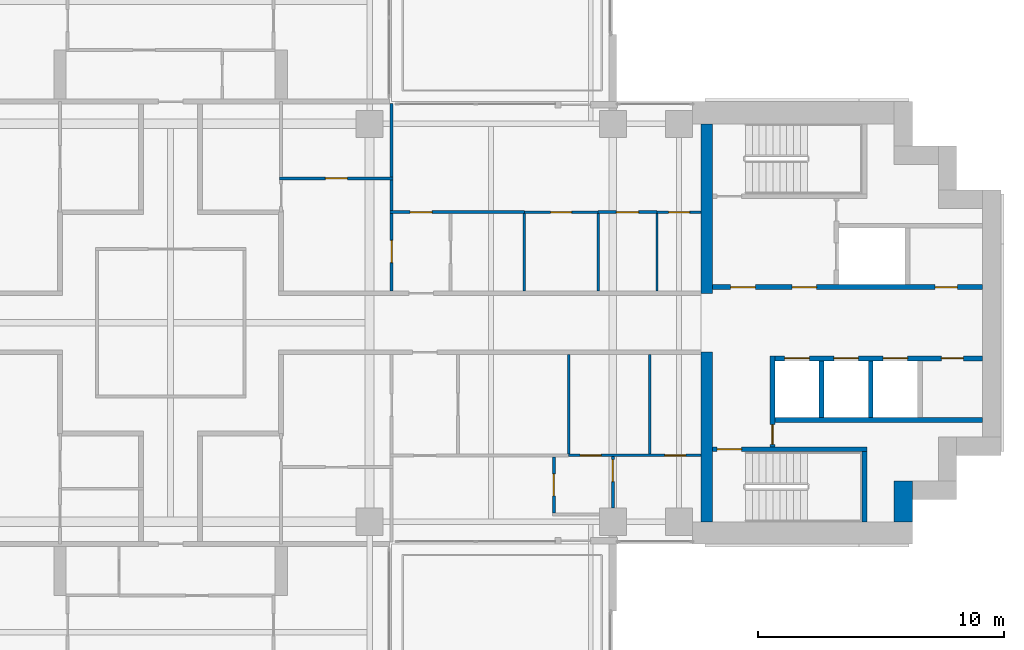
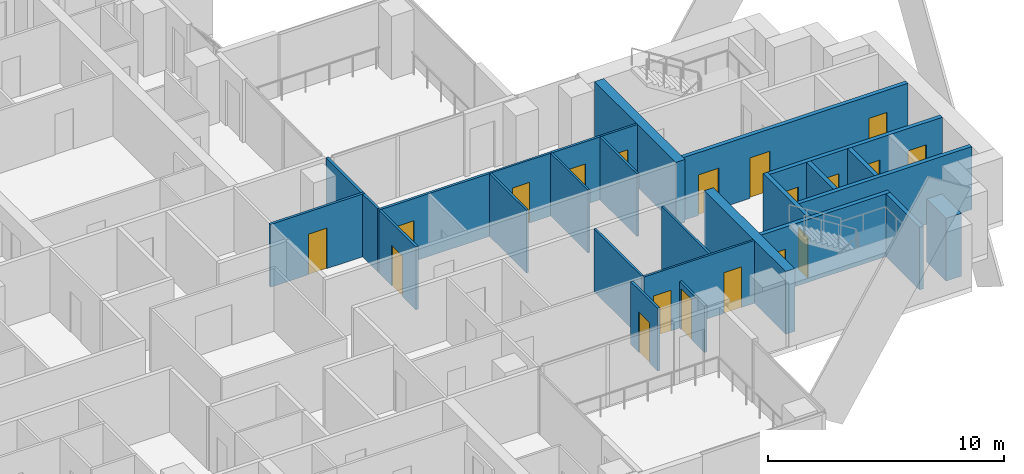
# One storey, part 12 of 19: 25 walls, 19 doors, 19 openings.
"""IFC4 building model written with IfcOpenShell, lengths in metres."""

from ifc_helpers import new_model, si_unit, direction, frame, frame_2d, origin, place, context, subcontext, project, spatial, rectangle, extrude, material, layer, layer_set, type_object, element, fill, save


model = new_model("IFC4")

# Units and contexts
model_context = context("Model", 3, precision=1e-05, world=origin(), true_north=direction((0.0, 1.0)))
body_context = subcontext(model_context, "Body", "Model", "MODEL_VIEW")
ifc_project = project(units=[si_unit("LENGTHUNIT", "METRE"), si_unit("AREAUNIT", "SQUARE_METRE"), si_unit("VOLUMEUNIT", "CUBIC_METRE"), si_unit("PLANEANGLEUNIT", "RADIAN"), si_unit("MASSUNIT", "GRAM", prefix="KILO")], contexts=[model_context])

# Site, building, storey
site_placement = place(None, origin())
site = spatial("IfcSite", under=ifc_project, at=site_placement, CompositionType="ELEMENT")
building_placement = place(site_placement, origin())
building = spatial("IfcBuilding", under=site, at=building_placement, Name="Perihelion Cross Residences", CompositionType="ELEMENT")
storey_placement = place(building_placement, frame((0.0, 0.0, 116.39990234375)))
storey = spatial("IfcBuildingStorey", under=building, at=storey_placement, Name="L27", CompositionType="ELEMENT", Elevation=116.39990234375)

# Walls
ifc_material_1 = material(Name="Concrete C60/75", Category="concrete")
ifc_layer_1 = layer(ifc_material_1, 0.449951171875)
ifc_layer_set_1 = layer_set([ifc_layer_1], Name="Core wall, inner 450")
wall_type_1 = type_object("IfcWallType", Name="Core wall, inner 450", PredefinedType="SHEAR", material=ifc_layer_set_1)
for number, where, z_axis, x_axis, name in (
    (1, (21.824951171875, -8.10009765625, 0.0), (0.0, 0.0, 1.0), (0.0, 1.0, 0.0), "East core core wall, inner"),
    (2, (21.824951171875, 1.199951171875, 0.0), (0.0, 0.0, 1.0), (0.0, 1.0, 0.0), "East core core wall, inner"),
):
    element("IfcWall", number, at=place(storey_placement, frame(where, z_axis=z_axis, x_axis=x_axis)), inside=storey, type_object=wall_type_1, Name=name, PredefinedType="SHEAR", context=body_context, shape_type="SweptSolid", body=[
        extrude(rectangle(XDim=6.900146484375, YDim=0.449951171875, at=frame_2d((3.4501953125, 0.0))), origin(), (0.0, 0.0, 1.0), 3.25),
    ])
ifc_material_2 = material(Name="Concrete C60/75", Category="concrete")
ifc_layer_2 = layer(ifc_material_2, 0.75)
ifc_layer_set_2 = layer_set([ifc_layer_2], Name="Core wall, outer 750")
wall_type_2 = type_object("IfcWallType", Name="Core wall, outer 750", PredefinedType="SHEAR", material=ifc_layer_set_2)
wall_1_placement = place(storey_placement, frame((29.824951171875, -8.10009765625, 0.0), z_axis=(0.0, 0.0, 1.0), x_axis=(0.0, 1.0, 0.0)))
element("IfcWall", 3, at=wall_1_placement, inside=storey, type_object=wall_type_2, Name="East core core wall, outer", PredefinedType="SHEAR", context=body_context, shape_type="SweptSolid", body=[
    extrude(rectangle(XDim=1.650146484375, YDim=0.75, at=frame_2d((0.8251953125, 0.0))), origin(), (0.0, 0.0, 1.0), 3.25),
])

# Wall, opening, door
ifc_material_3 = material(Name="Concrete C50/60", Category="concrete")
ifc_layer_3 = layer(ifc_material_3, 0.199951171875)
ifc_layer_set_3 = layer_set([ifc_layer_3], Name="Lobby wall 200")
wall_type_3 = type_object("IfcWallType", Name="Lobby wall 200", PredefinedType="SOLIDWALL", material=ifc_layer_set_3)
wall_2_placement = place(storey_placement, frame((24.5, -5.050048828125, 0.0), z_axis=(0.0, 0.0, 1.0), x_axis=(0.0, 1.0, 0.0)))
wall_2 = element("IfcWall", 4, at=wall_2_placement, inside=storey, type_object=wall_type_3, Name="East core lobby wall", PredefinedType="SOLIDWALL", context=body_context, shape_type="SweptSolid", body=[
    extrude(rectangle(XDim=3.699951171875, YDim=0.199951171875, at=frame_2d((1.85009765625, 0.0))), origin(), (0.0, 0.0, 1.0), 3.25),
])
opening_1_placement = place(wall_2_placement, frame((0.10009765625, 0.0, 0.0)))
opening_1 = element("IfcOpeningElement", 5, at=opening_1_placement, cuts=wall_2, Name="Opening L27.C08", PredefinedType="OPENING", context=body_context, shape_type="SweptSolid", body=[
    extrude(rectangle(XDim=0.800048828125, YDim=2.10009765625, at=frame_2d((0.39990234375, 1.050048828125))), frame((0.0, 0.10986328125, 0.0), z_axis=(0.0, -1.0, 0.0), x_axis=(1.0, 0.0, 0.0)), (0.0, 0.0, 1.0), 0.219970703125),
])
ifc_material_4 = material(Name="Steel, powder coated", Category="steel")
door_type_1 = type_object("IfcDoorType", Name="Riser door 800", OperationType="SINGLE_SWING_LEFT", PredefinedType="DOOR", material=ifc_material_4)
door_1_placement = place(opening_1_placement, origin())
door_1 = element("IfcDoor", 6, at=door_1_placement, inside=storey, type_object=door_type_1, Name="East core riser door", OperationType="SINGLE_SWING_LEFT", OverallHeight=2.10009765625, OverallWidth=0.800048828125, PredefinedType="DOOR", context=body_context, shape_type="SweptSolid", body=[
    extrude(rectangle(XDim=0.800048828125, YDim=2.10009765625, at=frame_2d((0.39990234375, 1.050048828125))), frame((0.0, 0.02490234375, 0.0), z_axis=(0.0, -1.0, 0.0), x_axis=(1.0, 0.0, 0.0)), (0.0, 0.0, 1.0), 0.050048828125),
])
fill(opening_1, door_1)

ifc_material_5 = material(Name="Plasterboard partition")
ifc_layer_4 = layer(ifc_material_5, 0.1201171875)
ifc_layer_set_4 = layer_set([ifc_layer_4], Name="Partition wall 120")
wall_type_4 = type_object("IfcWallType", Name="Partition wall 120", PredefinedType="PARTITIONING", material=ifc_layer_set_4)
wall_3_placement = place(storey_placement, frame((8.93994140625, 4.5, 0.0), z_axis=(0.0, 0.0, 1.0), x_axis=(1.0, 0.0, 0.0)))
wall_3 = element("IfcWall", 7, at=wall_3_placement, inside=storey, type_object=wall_type_4, Name="Partition L27 W024", PredefinedType="PARTITIONING", context=body_context, shape_type="SweptSolid", body=[
    extrude(rectangle(XDim=5.4599609375, YDim=0.1201171875, at=frame_2d((2.72998046875, 0.0))), origin(), (0.0, 0.0, 1.0), 3.25),
])
opening_2_placement = place(wall_3_placement, frame((0.81005859375, 0.0, 0.0)))
opening_2 = element("IfcOpeningElement", 8, at=opening_2_placement, cuts=wall_3, Name="Opening L27.A08", PredefinedType="OPENING", context=body_context, shape_type="SweptSolid", body=[
    extrude(rectangle(XDim=0.89990234375, YDim=2.10009765625, at=frame_2d((0.449951171875, 1.050048828125))), frame((0.0, 0.070068359375, 0.0), z_axis=(0.0, -1.0, 0.0), x_axis=(1.0, 0.0, 0.0)), (0.0, 0.0, 1.0), 0.14013671875),
])
ifc_material_6 = material(Name="Timber door leaf", Category="wood")
door_type_2 = type_object("IfcDoorType", Name="Interior room door 900 x 2100", OperationType="SINGLE_SWING_LEFT", PredefinedType="DOOR", material=ifc_material_6)
door_2_placement = place(opening_2_placement, origin())
door_2 = element("IfcDoor", 9, at=door_2_placement, inside=storey, type_object=door_type_2, Name="Door L27.A08", OperationType="SINGLE_SWING_RIGHT", OverallHeight=2.10009765625, OverallWidth=0.89990234375, PredefinedType="DOOR", context=body_context, shape_type="SweptSolid", body=[
    extrude(rectangle(XDim=0.89990234375, YDim=2.10009765625, at=frame_2d((0.449951171875, 1.050048828125))), frame((0.0, 0.02490234375, 0.0), z_axis=(0.0, -1.0, 0.0), x_axis=(1.0, 0.0, 0.0)), (0.0, 0.0, 1.0), 0.050048828125),
])
fill(opening_2, door_2)

wall_4_placement = place(storey_placement, frame((9.0, 1.300048828125, 0.0), z_axis=(0.0, 0.0, 1.0), x_axis=(0.0, 1.0, 0.0)))
wall_4 = element("IfcWall", 10, at=wall_4_placement, inside=storey, type_object=wall_type_4, Name="Partition L27 W025", PredefinedType="PARTITIONING", context=body_context, shape_type="SweptSolid", body=[
    extrude(rectangle(XDim=7.619873046875, YDim=0.1201171875, at=frame_2d((3.81005859375, 0.0))), origin(), (0.0, 0.0, 1.0), 3.25),
])
opening_3_placement = place(wall_4_placement, frame((1.14990234375, 0.0, 0.0)))
opening_3 = element("IfcOpeningElement", 11, at=opening_3_placement, cuts=wall_4, Name="Opening L27.A04", PredefinedType="OPENING", context=body_context, shape_type="SweptSolid", body=[
    extrude(rectangle(XDim=0.89990234375, YDim=2.10009765625, at=frame_2d((0.449951171875, 1.050048828125))), frame((0.0, 0.070068359375, 0.0), z_axis=(0.0, -1.0, 0.0), x_axis=(1.0, 0.0, 0.0)), (0.0, 0.0, 1.0), 0.14013671875),
])
door_3_placement = place(opening_3_placement, origin())
door_3 = element("IfcDoor", 12, at=door_3_placement, inside=storey, type_object=door_type_2, Name="Door L27.A04", OperationType="SINGLE_SWING_RIGHT", OverallHeight=2.10009765625, OverallWidth=0.89990234375, PredefinedType="DOOR", context=body_context, shape_type="SweptSolid", body=[
    extrude(rectangle(XDim=0.89990234375, YDim=2.10009765625, at=frame_2d((0.449951171875, 1.050048828125))), frame((0.0, 0.02490234375, 0.0), z_axis=(0.0, -1.0, 0.0), x_axis=(1.0, 0.0, 0.0)), (0.0, 0.0, 1.0), 0.050048828125),
])
fill(opening_3, door_3)

wall_5_placement = place(storey_placement, frame((17.39990234375, 4.5, 0.0), z_axis=(0.0, 0.0, 1.0), x_axis=(1.0, 0.0, 0.0)))
wall_5 = element("IfcWall", 13, at=wall_5_placement, inside=storey, type_object=wall_type_4, Name="Partition L27 W030", PredefinedType="PARTITIONING", context=body_context, shape_type="SweptSolid", body=[
    extrude(rectangle(XDim=2.400146484375, YDim=0.1201171875, at=frame_2d((1.2001953125, 0.0))), origin(), (0.0, 0.0, 1.0), 3.25),
])
opening_4_placement = place(wall_5_placement, frame((0.75, 0.0, 0.0)))
opening_4 = element("IfcOpeningElement", 14, at=opening_4_placement, cuts=wall_5, Name="Opening L27.A09", PredefinedType="OPENING", context=body_context, shape_type="SweptSolid", body=[
    extrude(rectangle(XDim=0.89990234375, YDim=2.10009765625, at=frame_2d((0.449951171875, 1.050048828125))), frame((0.0, 0.070068359375, 0.0), z_axis=(0.0, -1.0, 0.0), x_axis=(1.0, 0.0, 0.0)), (0.0, 0.0, 1.0), 0.14013671875),
])
door_4_placement = place(opening_4_placement, origin())
door_4 = element("IfcDoor", 15, at=door_4_placement, inside=storey, type_object=door_type_2, Name="Door L27.A09", OperationType="SINGLE_SWING_RIGHT", OverallHeight=2.10009765625, OverallWidth=0.89990234375, PredefinedType="DOOR", context=body_context, shape_type="SweptSolid", body=[
    extrude(rectangle(XDim=0.89990234375, YDim=2.10009765625, at=frame_2d((0.449951171875, 1.050048828125))), frame((0.0, 0.02490234375, 0.0), z_axis=(0.0, -1.0, 0.0), x_axis=(1.0, 0.0, 0.0)), (0.0, 0.0, 1.0), 0.050048828125),
])
fill(opening_4, door_4)

wall_6_placement = place(storey_placement, frame((4.43994140625, 5.8798828125, 0.0), z_axis=(0.0, 0.0, 1.0), x_axis=(1.0, 0.0, 0.0)))
wall_6 = element("IfcWall", 16, at=wall_6_placement, inside=storey, type_object=wall_type_4, Name="Partition L27 W032", PredefinedType="PARTITIONING", context=body_context, shape_type="SweptSolid", body=[
    extrude(rectangle(XDim=4.6201171875, YDim=0.1201171875, at=frame_2d((2.31005859375, 0.0))), origin(), (0.0, 0.0, 1.0), 3.25),
])
opening_5_placement = place(wall_6_placement, frame((1.860107421875, 0.0, 0.0)))
opening_5 = element("IfcOpeningElement", 17, at=opening_5_placement, cuts=wall_6, Name="Opening L27.A06", PredefinedType="OPENING", context=body_context, shape_type="SweptSolid", body=[
    extrude(rectangle(XDim=0.89990234375, YDim=2.10009765625, at=frame_2d((0.449951171875, 1.050048828125))), frame((0.0, 0.070068359375, 0.0), z_axis=(0.0, -1.0, 0.0), x_axis=(1.0, 0.0, 0.0)), (0.0, 0.0, 1.0), 0.14013671875),
])
door_5_placement = place(opening_5_placement, origin())
door_5 = element("IfcDoor", 18, at=door_5_placement, inside=storey, type_object=door_type_2, Name="Door L27.A06", OperationType="SINGLE_SWING_RIGHT", OverallHeight=2.10009765625, OverallWidth=0.89990234375, PredefinedType="DOOR", context=body_context, shape_type="SweptSolid", body=[
    extrude(rectangle(XDim=0.89990234375, YDim=2.10009765625, at=frame_2d((0.449951171875, 1.050048828125))), frame((0.0, 0.02490234375, 0.0), z_axis=(0.0, -1.0, 0.0), x_axis=(1.0, 0.0, 0.0)), (0.0, 0.0, 1.0), 0.050048828125),
])
fill(opening_5, door_5)

wall_7_placement = place(storey_placement, frame((15.60009765625, -5.4599609375, 0.0), z_axis=(0.0, 0.0, 1.0), x_axis=(0.0, -1.0, 0.0)))
wall_7 = element("IfcWall", 19, at=wall_7_placement, inside=storey, type_object=wall_type_4, Name="Partition L27 W040", PredefinedType="PARTITIONING", context=body_context, shape_type="SweptSolid", body=[
    extrude(rectangle(XDim=2.280029296875, YDim=0.1201171875, at=frame_2d((1.14013671875, 0.0))), origin(), (0.0, 0.0, 1.0), 3.25),
])
opening_6_placement = place(wall_7_placement, frame((0.68994140625, 0.0, 0.0)))
opening_6 = element("IfcOpeningElement", 20, at=opening_6_placement, cuts=wall_7, Name="Opening L27.A13", PredefinedType="OPENING", context=body_context, shape_type="SweptSolid", body=[
    extrude(rectangle(XDim=0.89990234375, YDim=2.10009765625, at=frame_2d((0.449951171875, 1.050048828125))), frame((0.0, 0.070068359375, 0.0), z_axis=(0.0, -1.0, 0.0), x_axis=(1.0, 0.0, 0.0)), (0.0, 0.0, 1.0), 0.14013671875),
])
door_6_placement = place(opening_6_placement, origin())
door_6 = element("IfcDoor", 21, at=door_6_placement, inside=storey, type_object=door_type_2, Name="Door L27.A13", OperationType="SINGLE_SWING_LEFT", OverallHeight=2.10009765625, OverallWidth=0.89990234375, PredefinedType="DOOR", context=body_context, shape_type="SweptSolid", body=[
    extrude(rectangle(XDim=0.89990234375, YDim=2.10009765625, at=frame_2d((0.449951171875, 1.050048828125))), frame((0.0, 0.02490234375, 0.0), z_axis=(0.0, -1.0, 0.0), x_axis=(1.0, 0.0, 0.0)), (0.0, 0.0, 1.0), 0.050048828125),
])
fill(opening_6, door_6)

wall_8_placement = place(storey_placement, frame((18.0, -5.449951171875, 0.0), z_axis=(0.0, 0.0, 1.0), x_axis=(0.0, -1.0, 0.0)))
wall_8 = element("IfcWall", 22, at=wall_8_placement, inside=storey, type_object=wall_type_4, Name="Partition L27 W042", PredefinedType="PARTITIONING", context=body_context, shape_type="SweptSolid", body=[
    extrude(rectangle(XDim=2.10009765625, YDim=0.1201171875, at=frame_2d((1.050048828125, 0.0))), origin(), (0.0, 0.0, 1.0), 2.4140625),
])
opening_7_placement = place(wall_8_placement, frame((0.1201171875, 0.0, 0.0)))
opening_7 = element("IfcOpeningElement", 23, at=opening_7_placement, cuts=wall_8, Name="Opening L27.A16", PredefinedType="OPENING", context=body_context, shape_type="SweptSolid", body=[
    extrude(rectangle(XDim=0.89990234375, YDim=2.10009765625, at=frame_2d((0.449951171875, 1.050048828125))), frame((0.0, 0.070068359375, 0.0), z_axis=(0.0, -1.0, 0.0), x_axis=(1.0, 0.0, 0.0)), (0.0, 0.0, 1.0), 0.14013671875),
])
door_7_placement = place(opening_7_placement, origin())
door_7 = element("IfcDoor", 24, at=door_7_placement, inside=storey, type_object=door_type_2, Name="Door L27.A16", OperationType="SINGLE_SWING_LEFT", OverallHeight=2.10009765625, OverallWidth=0.89990234375, PredefinedType="DOOR", context=body_context, shape_type="SweptSolid", body=[
    extrude(rectangle(XDim=0.89990234375, YDim=2.10009765625, at=frame_2d((0.449951171875, 1.050048828125))), frame((0.0, 0.02490234375, 0.0), z_axis=(0.0, -1.0, 0.0), x_axis=(1.0, 0.0, 0.0)), (0.0, 0.0, 1.0), 0.050048828125),
])
fill(opening_7, door_7)

# Wall, openings, doors
ifc_material_7 = material(Name="Concrete C50/60", Category="concrete")
ifc_layer_5 = layer(ifc_material_7, 0.199951171875)
ifc_layer_set_5 = layer_set([ifc_layer_5], Name="Shaft wall 200")
wall_type_5 = type_object("IfcWallType", Name="Shaft wall 200", PredefinedType="SOLIDWALL", material=ifc_layer_set_5)
wall_9_placement = place(storey_placement, frame((22.050048828125, 1.449951171875, 0.0), z_axis=(0.0, 0.0, 1.0), x_axis=(1.0, 0.0, 0.0)))
wall_9 = element("IfcWall", 25, at=wall_9_placement, inside=storey, type_object=wall_type_5, Name="East core shaft wall", PredefinedType="SOLIDWALL", context=body_context, shape_type="SweptSolid", body=[
    extrude(rectangle(XDim=11.0, YDim=0.199951171875, at=frame_2d((5.5, 0.0))), origin(), (0.0, 0.0, 1.0), 3.25),
])
opening_8_placement = place(wall_9_placement, frame((0.75, 0.0, 0.0)))
opening_8 = element("IfcOpeningElement", 26, at=opening_8_placement, cuts=wall_9, Name="Opening L27.C07", PredefinedType="OPENING", context=body_context, shape_type="SweptSolid", body=[
    extrude(rectangle(XDim=1.0, YDim=2.10009765625, at=frame_2d((0.5, 1.050048828125))), frame((0.0, 0.10986328125, 0.0), z_axis=(0.0, -1.0, 0.0), x_axis=(1.0, 0.0, 0.0)), (0.0, 0.0, 1.0), 0.219970703125),
])
opening_9_placement = place(wall_9_placement, frame((3.25, 0.0, 0.0)))
opening_9 = element("IfcOpeningElement", 27, at=opening_9_placement, cuts=wall_9, Name="Opening L27.C09", PredefinedType="OPENING", context=body_context, shape_type="SweptSolid", body=[
    extrude(rectangle(XDim=1.0, YDim=2.10009765625, at=frame_2d((0.5, 1.050048828125))), frame((0.0, 0.10986328125, 0.0), z_axis=(0.0, -1.0, 0.0), x_axis=(1.0, 0.0, 0.0)), (0.0, 0.0, 1.0), 0.219970703125),
])
opening_10_placement = place(wall_9_placement, frame((9.074951171875, 0.0, 0.0)))
opening_10 = element("IfcOpeningElement", 28, at=opening_10_placement, cuts=wall_9, Name="Opening L27.C11", PredefinedType="OPENING", context=body_context, shape_type="SweptSolid", body=[
    extrude(rectangle(XDim=0.89990234375, YDim=2.10009765625, at=frame_2d((0.449951171875, 1.050048828125))), frame((0.0, 0.10986328125, 0.0), z_axis=(0.0, -1.0, 0.0), x_axis=(1.0, 0.0, 0.0)), (0.0, 0.0, 1.0), 0.219970703125),
])
ifc_material_8 = material(Name="Steel, powder coated", Category="steel")
door_type_3 = type_object("IfcDoorType", Name="Lobby door 1000", OperationType="SINGLE_SWING_LEFT", PredefinedType="DOOR", material=ifc_material_8)
door_8_placement = place(opening_8_placement, origin())
door_8 = element("IfcDoor", 29, at=door_8_placement, inside=storey, type_object=door_type_3, Name="East core firefighting lobby door", OperationType="SINGLE_SWING_LEFT", OverallHeight=2.10009765625, OverallWidth=1.0, PredefinedType="DOOR", context=body_context, shape_type="SweptSolid", body=[
    extrude(rectangle(XDim=1.0, YDim=2.10009765625, at=frame_2d((0.5, 1.050048828125))), frame((0.0, 0.02490234375, 0.0), z_axis=(0.0, -1.0, 0.0), x_axis=(1.0, 0.0, 0.0)), (0.0, 0.0, 1.0), 0.050048828125),
])
fill(opening_8, door_8)
door_9_placement = place(opening_9_placement, origin())
door_9 = element("IfcDoor", 30, at=door_9_placement, inside=storey, type_object=door_type_3, Name="East core firefighting lobby door", OperationType="SINGLE_SWING_LEFT", OverallHeight=2.10009765625, OverallWidth=1.0, PredefinedType="DOOR", context=body_context, shape_type="SweptSolid", body=[
    extrude(rectangle(XDim=1.0, YDim=2.10009765625, at=frame_2d((0.5, 1.050048828125))), frame((0.0, 0.02490234375, 0.0), z_axis=(0.0, -1.0, 0.0), x_axis=(1.0, 0.0, 0.0)), (0.0, 0.0, 1.0), 0.050048828125),
])
fill(opening_9, door_9)
ifc_material_9 = material(Name="Steel, powder coated", Category="steel")
door_type_4 = type_object("IfcDoorType", Name="Service room door 900", OperationType="SINGLE_SWING_LEFT", PredefinedType="DOOR", material=ifc_material_9)
door_10_placement = place(opening_10_placement, origin())
door_10 = element("IfcDoor", 31, at=door_10_placement, inside=storey, type_object=door_type_4, Name="East core service room door", OperationType="SINGLE_SWING_LEFT", OverallHeight=2.10009765625, OverallWidth=0.89990234375, PredefinedType="DOOR", context=body_context, shape_type="SweptSolid", body=[
    extrude(rectangle(XDim=0.89990234375, YDim=2.10009765625, at=frame_2d((0.449951171875, 1.050048828125))), frame((0.0, 0.02490234375, 0.0), z_axis=(0.0, -1.0, 0.0), x_axis=(1.0, 0.0, 0.0)), (0.0, 0.0, 1.0), 0.050048828125),
])
fill(opening_10, door_10)

wall_10_placement = place(storey_placement, frame((24.60009765625, -1.449951171875, 0.0), z_axis=(0.0, 0.0, 1.0), x_axis=(1.0, 0.0, 0.0)))
wall_10 = element("IfcWall", 32, at=wall_10_placement, inside=storey, type_object=wall_type_5, Name="East core shaft wall", PredefinedType="SOLIDWALL", context=body_context, shape_type="SweptSolid", body=[
    extrude(rectangle(XDim=8.449951171875, YDim=0.199951171875, at=frame_2d((4.22509765625, 0.0))), origin(), (0.0, 0.0, 1.0), 3.25),
])
opening_11_placement = place(wall_10_placement, frame((0.39990234375, 0.0, 0.0)))
opening_11 = element("IfcOpeningElement", 33, at=opening_11_placement, cuts=wall_10, Name="Opening L27.C01", PredefinedType="OPENING", context=body_context, shape_type="SweptSolid", body=[
    extrude(rectangle(XDim=1.0, YDim=2.10009765625, at=frame_2d((0.5, 1.050048828125))), frame((0.0, 0.10986328125, 0.0), z_axis=(0.0, -1.0, 0.0), x_axis=(1.0, 0.0, 0.0)), (0.0, 0.0, 1.0), 0.219970703125),
])
opening_12_placement = place(wall_10_placement, frame((2.39990234375, 0.0, 0.0)))
opening_12 = element("IfcOpeningElement", 34, at=opening_12_placement, cuts=wall_10, Name="Opening L27.C03", PredefinedType="OPENING", context=body_context, shape_type="SweptSolid", body=[
    extrude(rectangle(XDim=1.0, YDim=2.10009765625, at=frame_2d((0.5, 1.050048828125))), frame((0.0, 0.10986328125, 0.0), z_axis=(0.0, -1.0, 0.0), x_axis=(1.0, 0.0, 0.0)), (0.0, 0.0, 1.0), 0.219970703125),
])
opening_13_placement = place(wall_10_placement, frame((4.39990234375, 0.0, 0.0)))
opening_13 = element("IfcOpeningElement", 35, at=opening_13_placement, cuts=wall_10, Name="Opening L27.C04", PredefinedType="OPENING", context=body_context, shape_type="SweptSolid", body=[
    extrude(rectangle(XDim=1.0, YDim=2.10009765625, at=frame_2d((0.5, 1.050048828125))), frame((0.0, 0.10986328125, 0.0), z_axis=(0.0, -1.0, 0.0), x_axis=(1.0, 0.0, 0.0)), (0.0, 0.0, 1.0), 0.219970703125),
])
opening_14_placement = place(wall_10_placement, frame((6.77490234375, 0.0, 0.0)))
opening_14 = element("IfcOpeningElement", 36, at=opening_14_placement, cuts=wall_10, Name="Opening L27.C12", PredefinedType="OPENING", context=body_context, shape_type="SweptSolid", body=[
    extrude(rectangle(XDim=0.89990234375, YDim=2.10009765625, at=frame_2d((0.449951171875, 1.050048828125))), frame((0.0, 0.10986328125, 0.0), z_axis=(0.0, -1.0, 0.0), x_axis=(1.0, 0.0, 0.0)), (0.0, 0.0, 1.0), 0.219970703125),
])
ifc_material_10 = material(Name="Stainless steel", Category="steel")
door_type_5 = type_object("IfcDoorType", Name="Landing door 1000", OperationType="DOUBLE_DOOR_SLIDING", PredefinedType="DOOR", material=ifc_material_10)
door_11_placement = place(opening_11_placement, origin())
door_11 = element("IfcDoor", 37, at=door_11_placement, inside=storey, type_object=door_type_5, Name="Landing door, East core high-rise lift 1", OperationType="DOUBLE_DOOR_SLIDING", OverallHeight=2.10009765625, OverallWidth=1.0, PredefinedType="DOOR", context=body_context, shape_type="SweptSolid", body=[
    extrude(rectangle(XDim=1.0, YDim=2.10009765625, at=frame_2d((0.5, 1.050048828125))), frame((0.0, 0.02490234375, 0.0), z_axis=(0.0, -1.0, 0.0), x_axis=(1.0, 0.0, 0.0)), (0.0, 0.0, 1.0), 0.050048828125),
])
fill(opening_11, door_11)
door_12_placement = place(opening_12_placement, origin())
door_12 = element("IfcDoor", 38, at=door_12_placement, inside=storey, type_object=door_type_5, Name="Landing door, East core high-rise lift 2", OperationType="DOUBLE_DOOR_SLIDING", OverallHeight=2.10009765625, OverallWidth=1.0, PredefinedType="DOOR", context=body_context, shape_type="SweptSolid", body=[
    extrude(rectangle(XDim=1.0, YDim=2.10009765625, at=frame_2d((0.5, 1.050048828125))), frame((0.0, 0.02490234375, 0.0), z_axis=(0.0, -1.0, 0.0), x_axis=(1.0, 0.0, 0.0)), (0.0, 0.0, 1.0), 0.050048828125),
])
fill(opening_12, door_12)
door_13_placement = place(opening_13_placement, origin())
door_13 = element("IfcDoor", 39, at=door_13_placement, inside=storey, type_object=door_type_5, Name="Landing door, East core high-rise lift 3", OperationType="DOUBLE_DOOR_SLIDING", OverallHeight=2.10009765625, OverallWidth=1.0, PredefinedType="DOOR", context=body_context, shape_type="SweptSolid", body=[
    extrude(rectangle(XDim=1.0, YDim=2.10009765625, at=frame_2d((0.5, 1.050048828125))), frame((0.0, 0.02490234375, 0.0), z_axis=(0.0, -1.0, 0.0), x_axis=(1.0, 0.0, 0.0)), (0.0, 0.0, 1.0), 0.050048828125),
])
fill(opening_13, door_13)
door_14_placement = place(opening_14_placement, origin())
door_14 = element("IfcDoor", 40, at=door_14_placement, inside=storey, type_object=door_type_4, Name="East core service room door", OperationType="SINGLE_SWING_LEFT", OverallHeight=2.10009765625, OverallWidth=0.89990234375, PredefinedType="DOOR", context=body_context, shape_type="SweptSolid", body=[
    extrude(rectangle(XDim=0.89990234375, YDim=2.10009765625, at=frame_2d((0.449951171875, 1.050048828125))), frame((0.0, 0.02490234375, 0.0), z_axis=(0.0, -1.0, 0.0), x_axis=(1.0, 0.0, 0.0)), (0.0, 0.0, 1.0), 0.050048828125),
])
fill(opening_14, door_14)

# Walls
wall_11_placement = place(storey_placement, frame((24.60009765625, -3.949951171875, 0.0), z_axis=(0.0, 0.0, 1.0), x_axis=(1.0, 0.0, 0.0)))
element("IfcWall", 41, at=wall_11_placement, inside=storey, type_object=wall_type_5, Name="East core shaft wall", PredefinedType="SOLIDWALL", context=body_context, shape_type="SweptSolid", body=[
    extrude(rectangle(XDim=8.449951171875, YDim=0.199951171875, at=frame_2d((4.22509765625, 0.0))), origin(), (0.0, 0.0, 1.0), 3.25),
])
for number, where, z_axis, x_axis, name in (
    (42, (26.5, -3.85009765625, 0.0), (0.0, 0.0, 1.0), (0.0, 1.0, 0.0), "East core shaft wall"),
    (43, (28.5, -3.85009765625, 0.0), (0.0, 0.0, 1.0), (0.0, 1.0, 0.0), "East core shaft wall"),
):
    element("IfcWall", number, at=place(storey_placement, frame(where, z_axis=z_axis, x_axis=x_axis)), inside=storey, type_object=wall_type_5, Name=name, PredefinedType="SOLIDWALL", context=body_context, shape_type="SweptSolid", body=[
        extrude(rectangle(XDim=2.300048828125, YDim=0.199951171875, at=frame_2d((1.14990234375, 0.0))), origin(), (0.0, 0.0, 1.0), 3.25),
    ])

# Wall, opening, door
ifc_material_11 = material(Name="Concrete C50/60", Category="concrete")
ifc_layer_6 = layer(ifc_material_11, 0.199951171875)
ifc_layer_set_6 = layer_set([ifc_layer_6], Name="Stair wall 200")
wall_type_6 = type_object("IfcWallType", Name="Stair wall 200", PredefinedType="SOLIDWALL", material=ifc_layer_set_6)
wall_12_placement = place(storey_placement, frame((22.050048828125, -5.14990234375, 0.0), z_axis=(0.0, 0.0, 1.0), x_axis=(1.0, 0.0, 0.0)))
wall_12 = element("IfcWall", 44, at=wall_12_placement, inside=storey, type_object=wall_type_6, Name="East core stair wall", PredefinedType="SOLIDWALL", context=body_context, shape_type="SweptSolid", body=[
    extrude(rectangle(XDim=6.300048828125, YDim=0.199951171875, at=frame_2d((3.14990234375, 0.0))), origin(), (0.0, 0.0, 1.0), 3.25),
])
opening_15_placement = place(wall_12_placement, frame((0.199951171875, 0.0, 0.0)))
opening_15 = element("IfcOpeningElement", 45, at=opening_15_placement, cuts=wall_12, Name="Opening L27.C05", PredefinedType="OPENING", context=body_context, shape_type="SweptSolid", body=[
    extrude(rectangle(XDim=1.0, YDim=2.10009765625, at=frame_2d((0.5, 1.050048828125))), frame((0.0, 0.10986328125, 0.0), z_axis=(0.0, -1.0, 0.0), x_axis=(1.0, 0.0, 0.0)), (0.0, 0.0, 1.0), 0.219970703125),
])
ifc_material_12 = material(Name="Steel, powder coated", Category="steel")
door_type_6 = type_object("IfcDoorType", Name="Stair door 1000", OperationType="SINGLE_SWING_LEFT", PredefinedType="DOOR", material=ifc_material_12)
door_15_placement = place(opening_15_placement, origin())
door_15 = element("IfcDoor", 46, at=door_15_placement, inside=storey, type_object=door_type_6, Name="East core stair door", OperationType="SINGLE_SWING_LEFT", OverallHeight=2.10009765625, OverallWidth=1.0, PredefinedType="DOOR", context=body_context, shape_type="SweptSolid", body=[
    extrude(rectangle(XDim=1.0, YDim=2.10009765625, at=frame_2d((0.5, 1.050048828125))), frame((0.0, 0.02490234375, 0.0), z_axis=(0.0, -1.0, 0.0), x_axis=(1.0, 0.0, 0.0)), (0.0, 0.0, 1.0), 0.050048828125),
])
fill(opening_15, door_15)

# Walls
wall_13_placement = place(storey_placement, frame((28.25, -8.10009765625, 0.0), z_axis=(0.0, 0.0, 1.0), x_axis=(0.0, 1.0, 0.0)))
element("IfcWall", 47, at=wall_13_placement, inside=storey, type_object=wall_type_6, Name="East core stair wall", PredefinedType="SOLIDWALL", context=body_context, shape_type="SweptSolid", body=[
    extrude(rectangle(XDim=2.85009765625, YDim=0.199951171875, at=frame_2d((1.425048828125, 0.0))), origin(), (0.0, 0.0, 1.0), 3.25),
])
ifc_material_13 = material(Name="Plasterboard partition")
ifc_layer_7 = layer(ifc_material_13, 0.10009765625)
ifc_layer_set_7 = layer_set([ifc_layer_7], Name="Wet room wall 100")
wall_type_7 = type_object("IfcWallType", Name="Wet room wall 100", PredefinedType="PARTITIONING", material=ifc_layer_set_7)
for number, where, z_axis, x_axis, name in (
    (48, (14.39990234375, 4.43994140625, 0.0), (0.0, 0.0, 1.0), (0.0, -1.0, 0.0), "Partition L27 W026"),
    (49, (17.39990234375, 4.43994140625, 0.0), (0.0, 0.0, 1.0), (0.0, -1.0, 0.0), "Partition L27 W027"),
):
    element("IfcWall", number, at=place(storey_placement, frame(where, z_axis=z_axis, x_axis=x_axis)), inside=storey, type_object=wall_type_7, Name=name, PredefinedType="PARTITIONING", context=body_context, shape_type="SweptSolid", body=[
        extrude(rectangle(XDim=3.139892578125, YDim=0.10009765625, at=frame_2d((1.56982421875, 0.0))), origin(), (0.0, 0.0, 1.0), 3.25),
    ])

# Wall, opening, door
wall_14_placement = place(storey_placement, frame((14.39990234375, 4.5, 0.0), z_axis=(0.0, 0.0, 1.0), x_axis=(1.0, 0.0, 0.0)))
wall_14 = element("IfcWall", 50, at=wall_14_placement, inside=storey, type_object=wall_type_7, Name="Partition L27 W028", PredefinedType="PARTITIONING", context=body_context, shape_type="SweptSolid", body=[
    extrude(rectangle(XDim=3.0, YDim=0.10009765625, at=frame_2d((1.5, 0.0))), origin(), (0.0, 0.0, 1.0), 3.25),
])
opening_16_placement = place(wall_14_placement, frame((1.074951171875, 0.0, 0.0)))
opening_16 = element("IfcOpeningElement", 51, at=opening_16_placement, cuts=wall_14, Name="Opening L27.A02", PredefinedType="OPENING", context=body_context, shape_type="SweptSolid", body=[
    extrude(rectangle(XDim=0.85009765625, YDim=2.10009765625, at=frame_2d((0.425048828125, 1.050048828125))), frame((0.0, 0.06005859375, 0.0), z_axis=(0.0, -1.0, 0.0), x_axis=(1.0, 0.0, 0.0)), (0.0, 0.0, 1.0), 0.1201171875),
])
ifc_material_14 = material(Name="Timber door leaf", Category="wood")
door_type_7 = type_object("IfcDoorType", Name="Interior bathroom door 850 x 2100", OperationType="SINGLE_SWING_LEFT", PredefinedType="DOOR", material=ifc_material_14)
door_16_placement = place(opening_16_placement, origin())
door_16 = element("IfcDoor", 52, at=door_16_placement, inside=storey, type_object=door_type_7, Name="Door L27.A02", OperationType="SINGLE_SWING_LEFT", OverallHeight=2.10009765625, OverallWidth=0.85009765625, PredefinedType="DOOR", context=body_context, shape_type="SweptSolid", body=[
    extrude(rectangle(XDim=0.85009765625, YDim=2.10009765625, at=frame_2d((0.425048828125, 1.050048828125))), frame((0.0, 0.02490234375, 0.0), z_axis=(0.0, -1.0, 0.0), x_axis=(1.0, 0.0, 0.0)), (0.0, 0.0, 1.0), 0.050048828125),
])
fill(opening_16, door_16)

# Wall
wall_15_placement = place(storey_placement, frame((19.800048828125, 4.43994140625, 0.0), z_axis=(0.0, 0.0, 1.0), x_axis=(0.0, -1.0, 0.0)))
element("IfcWall", 53, at=wall_15_placement, inside=storey, type_object=wall_type_7, Name="Partition L27 W029", PredefinedType="PARTITIONING", context=body_context, shape_type="SweptSolid", body=[
    extrude(rectangle(XDim=3.139892578125, YDim=0.10009765625, at=frame_2d((1.56982421875, 0.0))), origin(), (0.0, 0.0, 1.0), 3.25),
])

# Wall, opening, door
wall_16_placement = place(storey_placement, frame((19.800048828125, 4.5, 0.0), z_axis=(0.0, 0.0, 1.0), x_axis=(1.0, 0.0, 0.0)))
wall_16 = element("IfcWall", 54, at=wall_16_placement, inside=storey, type_object=wall_type_7, Name="Partition L27 W031", PredefinedType="PARTITIONING", context=body_context, shape_type="SweptSolid", body=[
    extrude(rectangle(XDim=1.800048828125, YDim=0.10009765625, at=frame_2d((0.89990234375, 0.0))), origin(), (0.0, 0.0, 1.0), 3.25),
])
opening_17_placement = place(wall_16_placement, frame((0.47509765625, 0.0, 0.0)))
opening_17 = element("IfcOpeningElement", 55, at=opening_17_placement, cuts=wall_16, Name="Opening L27.A07", PredefinedType="OPENING", context=body_context, shape_type="SweptSolid", body=[
    extrude(rectangle(XDim=0.85009765625, YDim=2.10009765625, at=frame_2d((0.425048828125, 1.050048828125))), frame((0.0, 0.06005859375, 0.0), z_axis=(0.0, -1.0, 0.0), x_axis=(1.0, 0.0, 0.0)), (0.0, 0.0, 1.0), 0.1201171875),
])
door_17_placement = place(opening_17_placement, origin())
door_17 = element("IfcDoor", 56, at=door_17_placement, inside=storey, type_object=door_type_7, Name="Door L27.A07", OperationType="SINGLE_SWING_LEFT", OverallHeight=2.10009765625, OverallWidth=0.85009765625, PredefinedType="DOOR", context=body_context, shape_type="SweptSolid", body=[
    extrude(rectangle(XDim=0.85009765625, YDim=2.10009765625, at=frame_2d((0.425048828125, 1.050048828125))), frame((0.0, 0.02490234375, 0.0), z_axis=(0.0, -1.0, 0.0), x_axis=(1.0, 0.0, 0.0)), (0.0, 0.0, 1.0), 0.050048828125),
])
fill(opening_17, door_17)

# Walls
wall_17_placement = place(storey_placement, frame((16.199951171875, -1.300048828125, 0.0), z_axis=(0.0, 0.0, 1.0), x_axis=(0.0, -1.0, 0.0)))
element("IfcWall", 57, at=wall_17_placement, inside=storey, type_object=wall_type_7, Name="Partition L27 W037", PredefinedType="PARTITIONING", context=body_context, shape_type="SweptSolid", body=[
    extrude(rectangle(XDim=4.0400390625, YDim=0.10009765625, at=frame_2d((2.02001953125, 0.0))), origin(), (0.0, 0.0, 1.0), 3.25),
])
wall_18_placement = place(storey_placement, frame((19.5, -1.300048828125, 0.0), z_axis=(0.0, 0.0, 1.0), x_axis=(0.0, -1.0, 0.0)))
element("IfcWall", 58, at=wall_18_placement, inside=storey, type_object=wall_type_7, Name="Partition L27 W038", PredefinedType="PARTITIONING", context=body_context, shape_type="SweptSolid", body=[
    extrude(rectangle(XDim=4.050048828125, YDim=0.10009765625, at=frame_2d((2.02490234375, 0.0))), origin(), (0.0, 0.0, 1.0), 3.25),
])

# Wall, openings, doors
wall_19_placement = place(storey_placement, frame((21.60009765625, -5.39990234375, 0.0), z_axis=(0.0, 0.0, 1.0), x_axis=(-1.0, 0.0, 0.0)))
wall_19 = element("IfcWall", 59, at=wall_19_placement, inside=storey, type_object=wall_type_7, Name="Partition L27 W039", PredefinedType="PARTITIONING", context=body_context, shape_type="SweptSolid", body=[
    extrude(rectangle(XDim=5.400146484375, YDim=0.10009765625, at=frame_2d((2.7001953125, 0.0))), origin(), (0.0, 0.0, 1.0), 3.25),
])
opening_18_placement = place(wall_19_placement, frame((0.625, 0.0, 0.0)))
opening_18 = element("IfcOpeningElement", 60, at=opening_18_placement, cuts=wall_19, Name="Opening L27.A11", PredefinedType="OPENING", context=body_context, shape_type="SweptSolid", body=[
    extrude(rectangle(XDim=0.85009765625, YDim=2.10009765625, at=frame_2d((0.425048828125, 1.050048828125))), frame((0.0, 0.06005859375, 0.0), z_axis=(0.0, -1.0, 0.0), x_axis=(1.0, 0.0, 0.0)), (0.0, 0.0, 1.0), 0.1201171875),
])
opening_19_placement = place(wall_19_placement, frame((4.074951171875, 0.0, 0.0)))
opening_19 = element("IfcOpeningElement", 61, at=opening_19_placement, cuts=wall_19, Name="Opening L27.A17", PredefinedType="OPENING", context=body_context, shape_type="SweptSolid", body=[
    extrude(rectangle(XDim=0.85009765625, YDim=2.10009765625, at=frame_2d((0.425048828125, 1.050048828125))), frame((0.0, 0.06005859375, 0.0), z_axis=(0.0, -1.0, 0.0), x_axis=(1.0, 0.0, 0.0)), (0.0, 0.0, 1.0), 0.1201171875),
])
door_18_placement = place(opening_18_placement, origin())
door_18 = element("IfcDoor", 62, at=door_18_placement, inside=storey, type_object=door_type_7, Name="Door L27.A11", OperationType="SINGLE_SWING_LEFT", OverallHeight=2.10009765625, OverallWidth=0.85009765625, PredefinedType="DOOR", context=body_context, shape_type="SweptSolid", body=[
    extrude(rectangle(XDim=0.85009765625, YDim=2.10009765625, at=frame_2d((0.425048828125, 1.050048828125))), frame((0.0, 0.02490234375, 0.0), z_axis=(0.0, -1.0, 0.0), x_axis=(1.0, 0.0, 0.0)), (0.0, 0.0, 1.0), 0.050048828125),
])
fill(opening_18, door_18)
door_19_placement = place(opening_19_placement, origin())
door_19 = element("IfcDoor", 63, at=door_19_placement, inside=storey, type_object=door_type_7, Name="Door L27.A17", OperationType="SINGLE_SWING_LEFT", OverallHeight=2.10009765625, OverallWidth=0.85009765625, PredefinedType="DOOR", context=body_context, shape_type="SweptSolid", body=[
    extrude(rectangle(XDim=0.85009765625, YDim=2.10009765625, at=frame_2d((0.425048828125, 1.050048828125))), frame((0.0, 0.02490234375, 0.0), z_axis=(0.0, -1.0, 0.0), x_axis=(1.0, 0.0, 0.0)), (0.0, 0.0, 1.0), 0.050048828125),
])
fill(opening_19, door_19)

save(model, "model.ifc")
